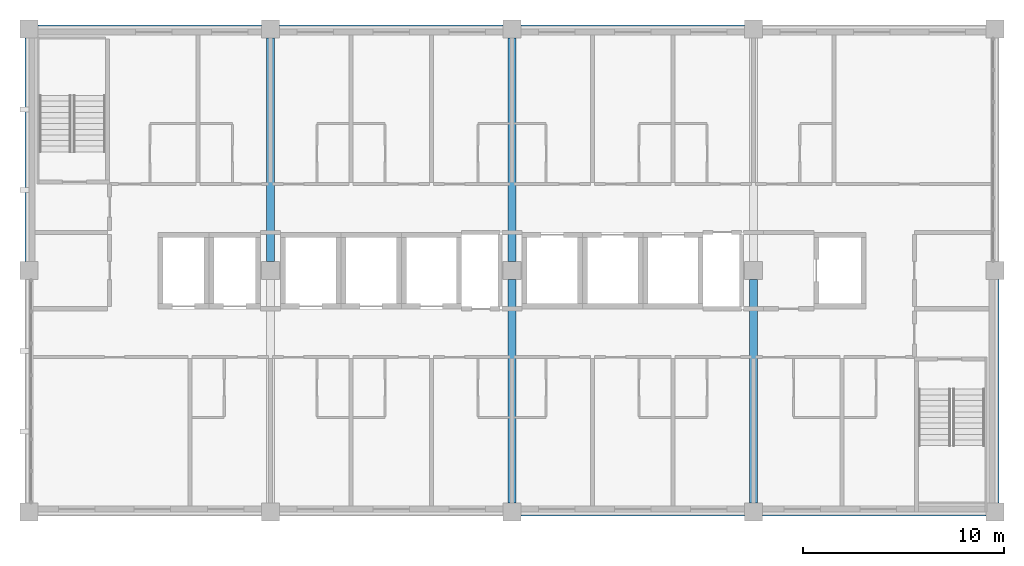
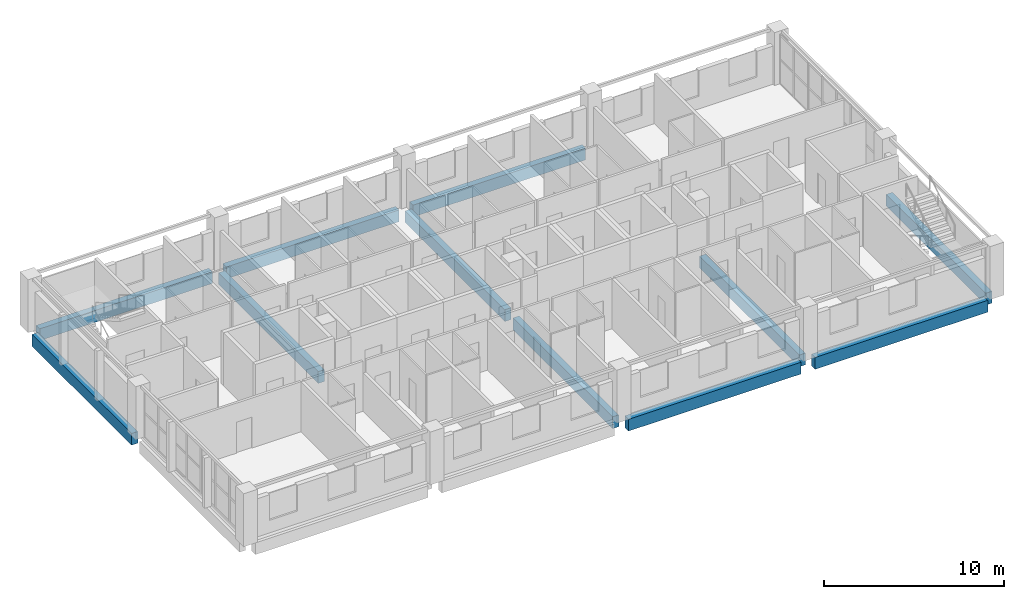
# One storey, part 3 of 11: 11 beams.
"""IFC4 building model written with IfcOpenShell, lengths in metres."""

from ifc_helpers import new_model, si_unit, direction, frame, origin, origin_2d, place, context, subcontext, project, spatial, rectangle, extrude, material, material_profile, profile_set, type_object, element, save


model = new_model("IFC4")

# Units and contexts
model_context = context("Model", 3, precision=1e-05, world=origin(), true_north=direction((0.0, 1.0)))
body_context = subcontext(model_context, "Body", "Model", "MODEL_VIEW")
ifc_project = project(units=[si_unit("LENGTHUNIT", "METRE"), si_unit("AREAUNIT", "SQUARE_METRE"), si_unit("VOLUMEUNIT", "CUBIC_METRE"), si_unit("PLANEANGLEUNIT", "RADIAN"), si_unit("MASSUNIT", "GRAM", prefix="KILO")], contexts=[model_context])

# Site, building, storey
site_placement = place(None, origin())
site = spatial("IfcSite", under=ifc_project, at=site_placement, CompositionType="ELEMENT")
building_placement = place(site_placement, origin())
building = spatial("IfcBuilding", under=site, at=building_placement, Name="Lilac Gate Convention Centre", CompositionType="ELEMENT")
storey_placement = place(building_placement, frame((0.0, 0.0, 24.60009765625)))
storey = spatial("IfcBuildingStorey", under=building, at=storey_placement, Name="L05", CompositionType="ELEMENT", Elevation=24.60009765625)

# Beams
ifc_material = material(Name="Concrete C40", Category="concrete")
ifc_material_profile = material_profile(ifc_material, rectangle(XDim=0.39990234375, YDim=0.800048828125, at=origin_2d()), Name="RC 400x800")
ifc_profile_set = profile_set([ifc_material_profile], Name="Concrete C40")
beam_type = type_object("IfcBeamType", Name="Tower primary beam 400x800 C40", PredefinedType="BEAM", material=ifc_profile_set)
for number, where, z_axis, x_axis, name in (
    (1, (66.449951171875, 222.0, -0.60009765625), (1.0, 0.0, 0.0), (0.0, 1.0, 0.0), "RB3 L05 6/S-7/S"),
    (2, (78.449951171875, 222.0, -0.60009765625), (1.0, 0.0, 0.0), (0.0, 1.0, 0.0), "RB3 L05 7/S-8/S"),
    (3, (42.449951171875, 246.0, -0.60009765625), (1.0, 0.0, 0.0), (0.0, 1.0, 0.0), "RB3 L05 4/U-5/U"),
    (4, (54.449951171875, 246.0, -0.60009765625), (1.0, 0.0, 0.0), (0.0, 1.0, 0.0), "RB3 L05 5/U-6/U"),
    (5, (66.449951171875, 246.0, -0.60009765625), (1.0, 0.0, 0.0), (0.0, 1.0, 0.0), "RB3 L05 6/U-7/U"),
    (6, (42.0, 234.449951171875, -0.60009765625), (0.0, 1.0, 0.0), (-1.0, 0.0, 0.0), "RB3 L05 4/T-4/U"),
    (7, (54.0, 234.449951171875, -0.60009765625), (0.0, 1.0, 0.0), (-1.0, 0.0, 0.0), "RB3 L05 5/T-5/U"),
    (8, (66.0, 222.449951171875, -0.60009765625), (0.0, 1.0, 0.0), (-1.0, 0.0, 0.0), "RB3 L05 6/S-6/T"),
    (9, (66.0, 234.449951171875, -0.60009765625), (0.0, 1.0, 0.0), (-1.0, 0.0, 0.0), "RB3 L05 6/T-6/U"),
    (10, (78.0, 222.449951171875, -0.60009765625), (0.0, 1.0, 0.0), (-1.0, 0.0, 0.0), "RB3 L05 7/S-7/T"),
    (11, (90.0, 222.449951171875, -0.60009765625), (0.0, 1.0, 0.0), (-1.0, 0.0, 0.0), "RB3 L05 8/S-8/T"),
):
    element("IfcBeam", number, at=place(storey_placement, frame(where, z_axis=z_axis, x_axis=x_axis)), inside=storey, type_object=beam_type, Name=name, PredefinedType="BEAM", context=body_context, shape_type="SweptSolid", body=[
        extrude(rectangle(XDim=0.39990234375, YDim=0.800048828125, at=origin_2d()), origin(), (0.0, 0.0, 1.0), 11.10009765625),
    ])

save(model, "model.ifc")
